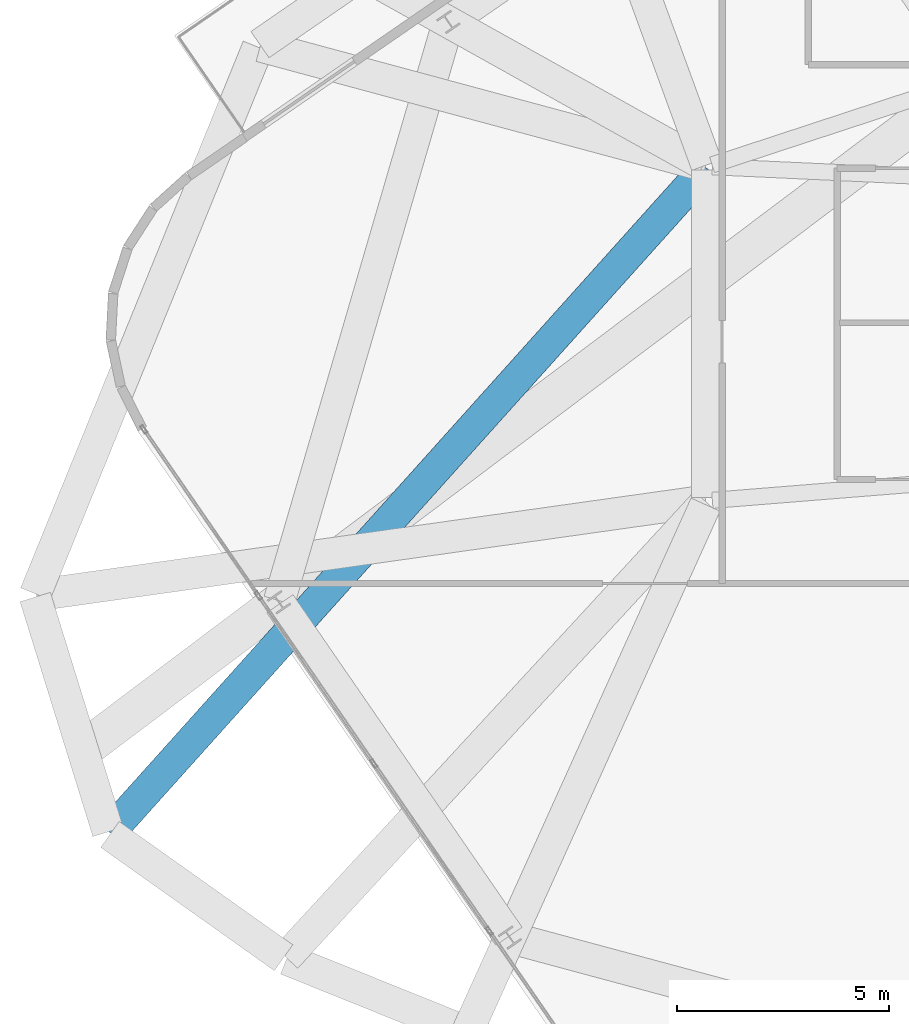
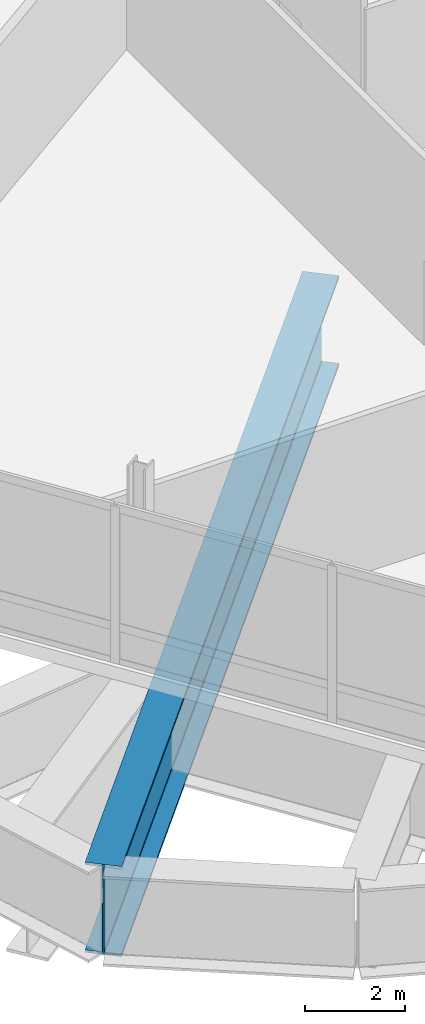
# One storey, part 7 of 18: 1 beam.
"""IFC4 building model written with IfcOpenShell, lengths in metres."""

from ifc_helpers import new_model, si_unit, direction, frame, origin, origin_2d, place, context, subcontext, project, spatial, i_section, extrude, material, material_profile, profile_set, type_object, element, save


model = new_model("IFC4")

# Units and contexts
model_context = context("Model", 3, precision=1e-05, world=origin(), true_north=direction((0.0, 1.0)))
body_context = subcontext(model_context, "Body", "Model", "MODEL_VIEW")
ifc_project = project(units=[si_unit("LENGTHUNIT", "METRE"), si_unit("AREAUNIT", "SQUARE_METRE"), si_unit("VOLUMEUNIT", "CUBIC_METRE"), si_unit("PLANEANGLEUNIT", "RADIAN"), si_unit("MASSUNIT", "GRAM", prefix="KILO")], contexts=[model_context])

# Site, building, storey
site_placement = place(None, origin())
site = spatial("IfcSite", under=ifc_project, at=site_placement, CompositionType="ELEMENT")
building_placement = place(site_placement, origin())
building = spatial("IfcBuilding", under=site, at=building_placement, Name="Varnelok Gate Tower", CompositionType="ELEMENT")
storey_placement = place(building_placement, frame((0.0, 0.0, 296.300048828125)))
storey = spatial("IfcBuildingStorey", under=building, at=storey_placement, Name="L76", CompositionType="ELEMENT", Elevation=296.300048828125)

# Beam
ifc_material = material(Name="Structural Steel ASTM A572 Grade 50", Category="steel")
ifc_material_profile = material_profile(ifc_material, i_section(OverallWidth=0.75, OverallDepth=2.199951171875, WebThickness=0.031982421875, FlangeThickness=0.06005859375, FilletRadius=0.028076171875, at=origin_2d()), Name="PG2200X750")
ifc_profile_set = profile_set([ifc_material_profile], Name="Structural Steel ASTM A572 Grade 50")
beam_type = type_object("IfcBeamType", Name="BM-TR-PG2200", PredefinedType="BEAM", material=ifc_profile_set)
beam_placement = place(storey_placement, frame((24.373291015625, 26.650146484375, -1.420166015625), z_axis=(-0.668023554064, -0.74414012875, 0.0), x_axis=(0.74414012875, -0.668023554064, 0.0)))
element("IfcBeam", 1, at=beam_placement, inside=storey, type_object=beam_type, Name="L76 Radial Transfer Main Girder 15", PredefinedType="BEAM", context=body_context, shape_type="SweptSolid", body=[
    extrude(i_section(OverallWidth=0.75, OverallDepth=2.199951171875, WebThickness=0.031982421875, FlangeThickness=0.06005859375, FilletRadius=0.028076171875, at=origin_2d()), origin(), (0.0, 0.0, 1.0), 21.050537109375),
])

save(model, "model.ifc")
